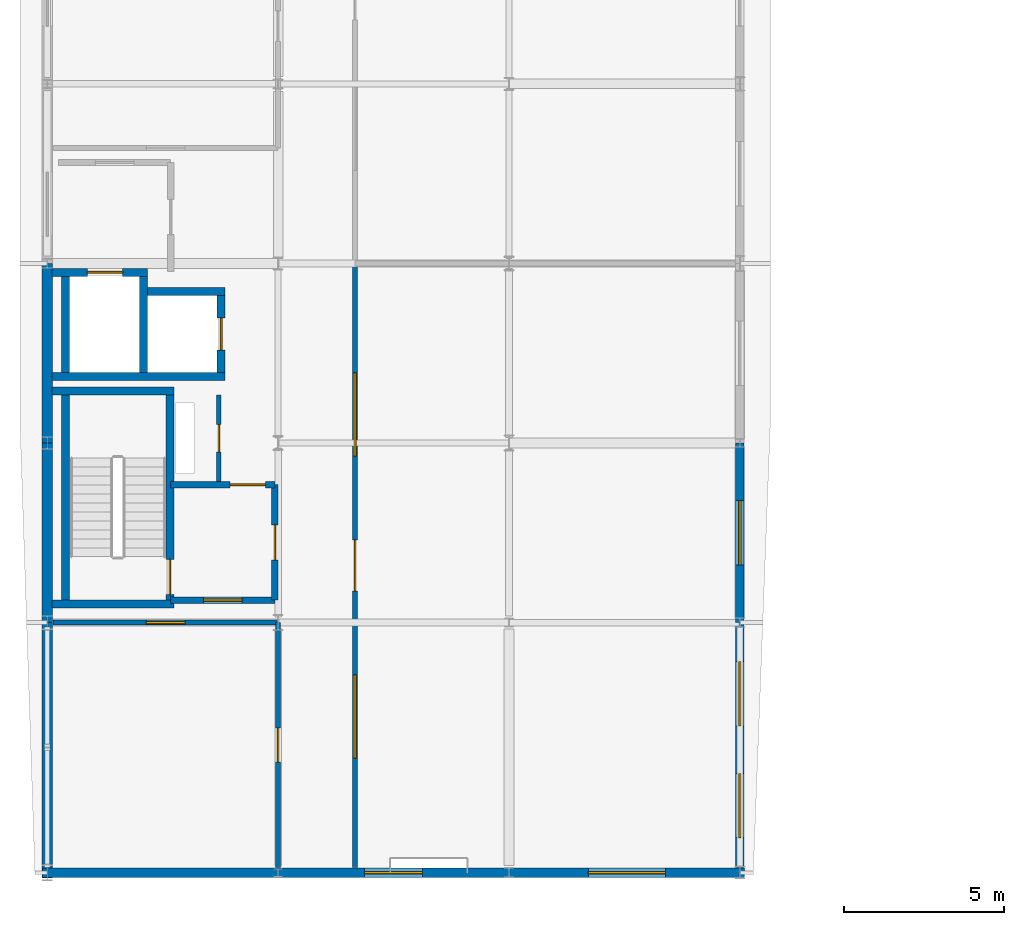
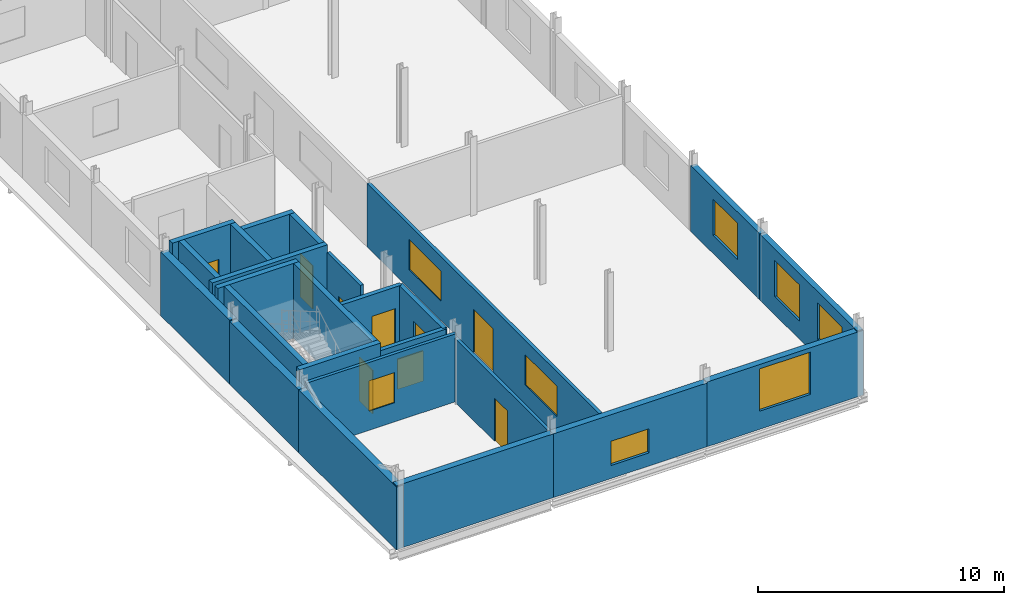
# One storey, part 11 of 17: 25 walls, 9 windows, 8 doors, 17 openings.
"""IFC4 building model written with IfcOpenShell, lengths in metres."""

from ifc_helpers import new_model, si_unit, direction, frame, frame_2d, origin, place, context, subcontext, project, spatial, rectangle, extrude, material, layer, layer_set, type_object, element, fill, save


model = new_model("IFC4")

# Units and contexts
model_context = context("Model", 3, precision=1e-05, world=origin(), true_north=direction((0.0, 1.0)))
body_context = subcontext(model_context, "Body", "Model", "MODEL_VIEW")
ifc_project = project(units=[si_unit("LENGTHUNIT", "METRE"), si_unit("AREAUNIT", "SQUARE_METRE"), si_unit("VOLUMEUNIT", "CUBIC_METRE"), si_unit("PLANEANGLEUNIT", "RADIAN"), si_unit("MASSUNIT", "GRAM", prefix="KILO")], contexts=[model_context])

# Site, building, storey
site_placement = place(None, origin())
site = spatial("IfcSite", under=ifc_project, at=site_placement, CompositionType="ELEMENT")
building_placement = place(site_placement, origin())
building = spatial("IfcBuilding", under=site, at=building_placement, Name="Vinh Khe Railworks Police Headquarters", CompositionType="ELEMENT")
storey_placement = place(building_placement, frame((0.0, 0.0, 24.89990234375)))
storey = spatial("IfcBuildingStorey", under=building, at=storey_placement, Name="L06", CompositionType="ELEMENT", Elevation=24.89990234375)

# Walls
ifc_material_1 = material(Name="Concrete C40/50 (B40)", Category="concrete")
ifc_layer_1 = layer(ifc_material_1, 0.25)
ifc_layer_set_1 = layer_set([ifc_layer_1], Name="Concrete C40/50 (B40)")
wall_type_1 = type_object("IfcWallType", Name="Core Shear Wall 250", PredefinedType="SHEAR", material=ifc_layer_set_1)
for number, where, z_axis, x_axis, name in (
    (1, (0.75, 25.77490234375, 0.0), (0.0, 0.0, 1.0), (1.0, 0.0, 0.0), "Core C1 STAIR-S Shear Wall (L06)"),
    (2, (0.75, 32.425048828125, 0.0), (0.0, 0.0, 1.0), (1.0, 0.0, 0.0), "Core C1 STAIR-N Shear Wall (L06)"),
):
    element("IfcWall", number, at=place(storey_placement, frame(where, z_axis=z_axis, x_axis=x_axis)), inside=storey, type_object=wall_type_1, Name=name, PredefinedType="SHEAR", context=body_context, shape_type="SweptSolid", body=[
        extrude(rectangle(XDim=3.800048828125, YDim=0.25, at=frame_2d((1.89990234375, 0.0))), origin(), (0.0, 0.0, 1.0), 3.72021484375),
    ])
wall_1_placement = place(storey_placement, frame((1.175048828125, 25.89990234375, 0.0), z_axis=(0.0, 0.0, 1.0), x_axis=(0.0, 1.0, 0.0)))
element("IfcWall", 3, at=wall_1_placement, inside=storey, type_object=wall_type_1, Name="Core C1 STAIR-W Shear Wall (L06)", PredefinedType="SHEAR", context=body_context, shape_type="SweptSolid", body=[
    extrude(rectangle(XDim=6.400146484375, YDim=0.25, at=frame_2d((3.2001953125, 0.0))), origin(), (0.0, 0.0, 1.0), 3.72021484375),
])

# Wall, opening, door
wall_2_placement = place(storey_placement, frame((4.425048828125, 25.89990234375, 0.0), z_axis=(0.0, 0.0, 1.0), x_axis=(0.0, 1.0, 0.0)))
wall_2 = element("IfcWall", 4, at=wall_2_placement, inside=storey, type_object=wall_type_1, Name="Core C1 STAIR-E Shear Wall (L06)", PredefinedType="SHEAR", context=body_context, shape_type="SweptSolid", body=[
    extrude(rectangle(XDim=6.400146484375, YDim=0.25, at=frame_2d((3.2001953125, 0.0))), origin(), (0.0, 0.0, 1.0), 3.72021484375),
])
opening_1_placement = place(wall_2_placement, frame((0.169921875, 0.0, 0.0)))
opening_1 = element("IfcOpeningElement", 5, at=opening_1_placement, cuts=wall_2, Name="Opening FD-01", PredefinedType="OPENING", context=body_context, shape_type="SweptSolid", body=[
    extrude(rectangle(XDim=1.10009765625, YDim=2.14990234375, at=frame_2d((0.550048828125, 1.074951171875))), frame((0.0, 0.139892578125, 0.0), z_axis=(0.0, -1.0, 0.0), x_axis=(1.0, 0.0, 0.0)), (0.0, 0.0, 1.0), 0.27978515625),
])
ifc_material_2 = material(Name="Painted galvanised steel", Category="steel")
door_type_1 = type_object("IfcDoorType", Name="FD-1100x2150", OperationType="NOTDEFINED", PredefinedType="DOOR", material=ifc_material_2)
door_1_placement = place(opening_1_placement, frame((1.10009765625, 0.0, 0.0), z_axis=(0.0, 0.0, 1.0), x_axis=(-1.0, 0.0, 0.0)))
door_1 = element("IfcDoor", 6, at=door_1_placement, inside=storey, type_object=door_type_1, Name="Escape Stair ST-01 Fire Door L06", OperationType="SINGLE_SWING_LEFT", OverallHeight=2.14990234375, OverallWidth=1.10009765625, PredefinedType="DOOR", context=body_context, shape_type="SweptSolid", body=[
    extrude(rectangle(XDim=1.10009765625, YDim=2.14990234375, at=frame_2d((0.550048828125, 1.074951171875))), frame((0.0, 0.02490234375, 0.0), z_axis=(0.0, -1.0, 0.0), x_axis=(1.0, 0.0, 0.0)), (0.0, 0.0, 1.0), 0.050048828125),
])
fill(opening_1, door_1)

# Wall
wall_3_placement = place(storey_placement, frame((0.75, 32.875, 0.0), z_axis=(0.0, 0.0, 1.0), x_axis=(1.0, 0.0, 0.0)))
element("IfcWall", 7, at=wall_3_placement, inside=storey, type_object=wall_type_1, Name="Core C1 FL-S Lift Shaft Wall (L06)", PredefinedType="SHEAR", context=body_context, shape_type="SweptSolid", body=[
    extrude(rectangle(XDim=5.39990234375, YDim=0.25, at=frame_2d((2.699951171875, 0.0))), origin(), (0.0, 0.0, 1.0), 3.72021484375),
])

# Wall, opening, door
wall_4_placement = place(storey_placement, frame((0.75, 36.125, 0.0), z_axis=(0.0, 0.0, 1.0), x_axis=(1.0, 0.0, 0.0)))
wall_4 = element("IfcWall", 8, at=wall_4_placement, inside=storey, type_object=wall_type_1, Name="Core C1 FL-N Lift Shaft Wall (L06)", PredefinedType="SHEAR", context=body_context, shape_type="SweptSolid", body=[
    extrude(rectangle(XDim=2.97509765625, YDim=0.25, at=frame_2d((1.487548828125, 0.0))), origin(), (0.0, 0.0, 1.0), 3.72021484375),
])
opening_2_placement = place(wall_4_placement, frame((1.10009765625, 0.0, 0.0)))
opening_2 = element("IfcOpeningElement", 9, at=opening_2_placement, cuts=wall_4, Name="Opening LD-01", PredefinedType="OPENING", context=body_context, shape_type="SweptSolid", body=[
    extrude(rectangle(XDim=1.10009765625, YDim=2.14990234375, at=frame_2d((0.550048828125, 1.074951171875))), frame((0.0, 0.139892578125, 0.0), z_axis=(0.0, -1.0, 0.0), x_axis=(1.0, 0.0, 0.0)), (0.0, 0.0, 1.0), 0.27978515625),
])
door_type_2 = type_object("IfcDoorType", Name="LD-FF-1100", OperationType="SLIDING_TO_LEFT", PredefinedType="DOOR", material=ifc_material_2)
door_2_placement = place(opening_2_placement, origin())
door_2 = element("IfcDoor", 10, at=door_2_placement, inside=storey, type_object=door_type_2, Name="Firefighting Lift Landing Door FL-01 L06", OperationType="SLIDING_TO_LEFT", OverallHeight=2.14990234375, OverallWidth=1.10009765625, PredefinedType="DOOR", context=body_context, shape_type="SweptSolid", body=[
    extrude(rectangle(XDim=1.10009765625, YDim=2.14990234375, at=frame_2d((0.550048828125, 1.074951171875))), frame((0.0, 0.02490234375, 0.0), z_axis=(0.0, -1.0, 0.0), x_axis=(1.0, 0.0, 0.0)), (0.0, 0.0, 1.0), 0.050048828125),
])
fill(opening_2, door_2)

# Walls
wall_5_placement = place(storey_placement, frame((3.72509765625, 35.52490234375, 0.0), z_axis=(0.0, 0.0, 1.0), x_axis=(1.0, 0.0, 0.0)))
element("IfcWall", 11, at=wall_5_placement, inside=storey, type_object=wall_type_1, Name="Core C1 PL-N Lift Shaft Wall (L06)", PredefinedType="SHEAR", context=body_context, shape_type="SweptSolid", body=[
    extrude(rectangle(XDim=2.4248046875, YDim=0.25, at=frame_2d((1.21240234375, 0.0))), origin(), (0.0, 0.0, 1.0), 3.72021484375),
])
for number, where, z_axis, x_axis, name in (
    (12, (1.175048828125, 33.0, 0.0), (0.0, 0.0, 1.0), (0.0, 1.0, 0.0), "Core C1 FL-W Lift Shaft Wall (L06)"),
    (13, (3.60009765625, 33.0, 0.0), (0.0, 0.0, 1.0), (0.0, 1.0, 0.0), "Core C1 LIFT-DIV Lift Shaft Wall (L06)"),
):
    element("IfcWall", number, at=place(storey_placement, frame(where, z_axis=z_axis, x_axis=x_axis)), inside=storey, type_object=wall_type_1, Name=name, PredefinedType="SHEAR", context=body_context, shape_type="SweptSolid", body=[
        extrude(rectangle(XDim=3.0, YDim=0.25, at=frame_2d((1.5, 0.0))), origin(), (0.0, 0.0, 1.0), 3.72021484375),
    ])

# Wall, opening, door
wall_6_placement = place(storey_placement, frame((6.02490234375, 33.0, 0.0), z_axis=(0.0, 0.0, 1.0), x_axis=(0.0, 1.0, 0.0)))
wall_6 = element("IfcWall", 14, at=wall_6_placement, inside=storey, type_object=wall_type_1, Name="Core C1 PL-E Lift Shaft Wall (L06)", PredefinedType="SHEAR", context=body_context, shape_type="SweptSolid", body=[
    extrude(rectangle(XDim=2.39990234375, YDim=0.25, at=frame_2d((1.199951171875, 0.0))), origin(), (0.0, 0.0, 1.0), 3.72021484375),
])
opening_3_placement = place(wall_6_placement, frame((0.699951171875, 0.0, 0.0)))
opening_3 = element("IfcOpeningElement", 15, at=opening_3_placement, cuts=wall_6, Name="Opening LD-02", PredefinedType="OPENING", context=body_context, shape_type="SweptSolid", body=[
    extrude(rectangle(XDim=1.0, YDim=2.14990234375, at=frame_2d((0.5, 1.074951171875))), frame((0.0, 0.139892578125, 0.0), z_axis=(0.0, -1.0, 0.0), x_axis=(1.0, 0.0, 0.0)), (0.0, 0.0, 1.0), 0.27978515625),
])
door_type_3 = type_object("IfcDoorType", Name="LD-PAX-1000", OperationType="SLIDING_TO_RIGHT", PredefinedType="DOOR", material=ifc_material_2)
door_3_placement = place(opening_3_placement, frame((1.0, 0.0, 0.0), z_axis=(0.0, 0.0, 1.0), x_axis=(-1.0, 0.0, 0.0)))
door_3 = element("IfcDoor", 16, at=door_3_placement, inside=storey, type_object=door_type_3, Name="Passenger Lift Landing Door PL-01 L06", OperationType="SLIDING_TO_RIGHT", OverallHeight=2.14990234375, OverallWidth=1.0, PredefinedType="DOOR", context=body_context, shape_type="SweptSolid", body=[
    extrude(rectangle(XDim=1.0, YDim=2.14990234375, at=frame_2d((0.5, 1.074951171875))), frame((0.0, 0.02490234375, 0.0), z_axis=(0.0, -1.0, 0.0), x_axis=(1.0, 0.0, 0.0)), (0.0, 0.0, 1.0), 0.050048828125),
])
fill(opening_3, door_3)

# Wall, openings, windows
ifc_material_3 = material(Name="Clay brickwork", Category="masonry")
ifc_layer_2 = layer(ifc_material_3, 0.260009765625)
ifc_layer_set_2 = layer_set([ifc_layer_2], Name="Clay brickwork")
wall_type_2 = type_object("IfcWallType", Name="EW-BRK-260", PredefinedType="SOLIDWALL", material=ifc_layer_set_2)
wall_7_placement = place(storey_placement, frame((22.199951171875, 17.27001953125, 0.0), z_axis=(0.0, 0.0, 1.0), x_axis=(0.0, 1.0, 0.0)))
wall_7 = element("IfcWall", 17, at=wall_7_placement, inside=storey, type_object=wall_type_2, Name="Exterior Brick Wall EW-L06-V5E-01", PredefinedType="SOLIDWALL", context=body_context, shape_type="SweptSolid", body=[
    extrude(rectangle(XDim=7.929931640625, YDim=0.260009765625, at=frame_2d((3.96484375, 0.0))), origin(), (0.0, 0.0, 1.0), 3.26513671875),
])
opening_4_placement = place(wall_7_placement, frame((1.220458984375, 0.0, 0.89990234375)))
opening_4 = element("IfcOpeningElement", 18, at=opening_4_placement, cuts=wall_7, Name="Opening WN-04", PredefinedType="OPENING", context=body_context, shape_type="SweptSolid", body=[
    extrude(rectangle(XDim=2.0, YDim=1.800048828125, at=frame_2d((1.0, 0.89990234375))), frame((0.0, 0.14501953125, 0.0), z_axis=(0.0, -1.0, 0.0), x_axis=(1.0, 0.0, 0.0)), (0.0, 0.0, 1.0), 0.289794921875),
])
opening_5_placement = place(wall_7_placement, frame((4.709716796875, 0.0, 0.89990234375)))
opening_5 = element("IfcOpeningElement", 19, at=opening_5_placement, cuts=wall_7, Name="Opening WN-04", PredefinedType="OPENING", context=body_context, shape_type="SweptSolid", body=[
    extrude(rectangle(XDim=2.0, YDim=1.800048828125, at=frame_2d((1.0, 0.89990234375))), frame((0.0, 0.14501953125, 0.0), z_axis=(0.0, -1.0, 0.0), x_axis=(1.0, 0.0, 0.0)), (0.0, 0.0, 1.0), 0.289794921875),
])
ifc_material_4 = material(Name="Double-glazed solar-control glass in dark steel frame", Category="steel")
window_type_1 = type_object("IfcWindowType", Name="WIN-WN-04", PartitioningType="DOUBLE_PANEL_VERTICAL", PredefinedType="WINDOW", material=ifc_material_4)
window_1_placement = place(opening_4_placement, origin())
window_1 = element("IfcWindow", 20, at=window_1_placement, inside=storey, type_object=window_type_1, Name="Casement Window WN-04", OverallHeight=1.800048828125, OverallWidth=2.0, PartitioningType="SINGLE_PANEL", PredefinedType="WINDOW", context=body_context, shape_type="SweptSolid", body=[
    extrude(rectangle(XDim=2.0, YDim=1.800048828125, at=frame_2d((1.0, 0.89990234375))), frame((0.0, 0.030029296875, 0.0), z_axis=(0.0, -1.0, 0.0), x_axis=(1.0, 0.0, 0.0)), (0.0, 0.0, 1.0), 0.06005859375),
])
fill(opening_4, window_1)
window_2_placement = place(opening_5_placement, origin())
window_2 = element("IfcWindow", 21, at=window_2_placement, inside=storey, type_object=window_type_1, Name="Casement Window WN-04", OverallHeight=1.800048828125, OverallWidth=2.0, PartitioningType="SINGLE_PANEL", PredefinedType="WINDOW", context=body_context, shape_type="SweptSolid", body=[
    extrude(rectangle(XDim=2.0, YDim=1.800048828125, at=frame_2d((1.0, 0.89990234375))), frame((0.0, 0.030029296875, 0.0), z_axis=(0.0, -1.0, 0.0), x_axis=(1.0, 0.0, 0.0)), (0.0, 0.0, 1.0), 0.06005859375),
])
fill(opening_5, window_2)

# Wall, opening, window
wall_8_placement = place(storey_placement, frame((22.199951171875, 25.199951171875, 0.0), z_axis=(0.0, 0.0, 1.0), x_axis=(0.0, 1.0, 0.0)))
wall_8 = element("IfcWall", 22, at=wall_8_placement, inside=storey, type_object=wall_type_2, Name="Exterior Brick Wall EW-L06-V5E-02", PredefinedType="SOLIDWALL", context=body_context, shape_type="SweptSolid", body=[
    extrude(rectangle(XDim=5.60009765625, YDim=0.260009765625, at=frame_2d((2.800048828125, 0.0))), origin(), (0.0, 0.0, 1.0), 3.26513671875),
])
opening_6_placement = place(wall_8_placement, frame((1.800048828125, 0.0, 0.89990234375)))
opening_6 = element("IfcOpeningElement", 23, at=opening_6_placement, cuts=wall_8, Name="Opening WN-04", PredefinedType="OPENING", context=body_context, shape_type="SweptSolid", body=[
    extrude(rectangle(XDim=2.0, YDim=1.800048828125, at=frame_2d((1.0, 0.89990234375))), frame((0.0, 0.14501953125, 0.0), z_axis=(0.0, -1.0, 0.0), x_axis=(1.0, 0.0, 0.0)), (0.0, 0.0, 1.0), 0.289794921875),
])
window_3_placement = place(opening_6_placement, origin())
window_3 = element("IfcWindow", 24, at=window_3_placement, inside=storey, type_object=window_type_1, Name="Casement Window WN-04", OverallHeight=1.800048828125, OverallWidth=2.0, PartitioningType="SINGLE_PANEL", PredefinedType="WINDOW", context=body_context, shape_type="SweptSolid", body=[
    extrude(rectangle(XDim=2.0, YDim=1.800048828125, at=frame_2d((1.0, 0.89990234375))), frame((0.0, 0.030029296875, 0.0), z_axis=(0.0, -1.0, 0.0), x_axis=(1.0, 0.0, 0.0)), (0.0, 0.0, 1.0), 0.06005859375),
])
fill(opening_6, window_3)

# Wall
ifc_layer_3 = layer(ifc_material_3, 0.300048828125)
ifc_layer_set_3 = layer_set([ifc_layer_3], Name="Clay brickwork")
wall_type_3 = type_object("IfcWallType", Name="EW-BRK-300", PredefinedType="SOLIDWALL", material=ifc_layer_set_3)
wall_9_placement = place(storey_placement, frame((0.449951171875, 17.39990234375, 0.0), z_axis=(0.0, 0.0, 1.0), x_axis=(1.0, 0.0, 0.0)))
element("IfcWall", 25, at=wall_9_placement, inside=storey, type_object=wall_type_3, Name="Exterior Brick Wall EW-L06-V5S-01", PredefinedType="SOLIDWALL", context=body_context, shape_type="SweptSolid", body=[
    extrude(rectangle(XDim=7.35009765625, YDim=0.300048828125, at=frame_2d((3.675048828125, 0.0))), origin(), (0.0, 0.0, 1.0), 3.1650390625),
])

# Wall, opening, window
wall_10_placement = place(storey_placement, frame((7.800048828125, 17.39990234375, 0.0), z_axis=(0.0, 0.0, 1.0), x_axis=(1.0, 0.0, 0.0)))
wall_10 = element("IfcWall", 26, at=wall_10_placement, inside=storey, type_object=wall_type_3, Name="Exterior Brick Wall EW-L06-V5S-02", PredefinedType="SOLIDWALL", context=body_context, shape_type="SweptSolid", body=[
    extrude(rectangle(XDim=7.199951171875, YDim=0.300048828125, at=frame_2d((3.60009765625, 0.0))), origin(), (0.0, 0.0, 1.0), 3.1650390625),
])
opening_7_placement = place(wall_10_placement, frame((2.699951171875, 0.0, 0.64990234375)))
opening_7 = element("IfcOpeningElement", 27, at=opening_7_placement, cuts=wall_10, Name="Opening WN-08", PredefinedType="OPENING", context=body_context, shape_type="SweptSolid", body=[
    extrude(rectangle(XDim=1.800048828125, YDim=1.199951171875, at=frame_2d((0.89990234375, 0.60009765625))), frame((0.0, 0.1650390625, 0.0), z_axis=(0.0, -1.0, 0.0), x_axis=(1.0, 0.0, 0.0)), (0.0, 0.0, 1.0), 0.329833984375),
])
window_type_2 = type_object("IfcWindowType", Name="WIN-WN-08", PartitioningType="SINGLE_PANEL", PredefinedType="WINDOW", material=ifc_material_4)
window_4_placement = place(opening_7_placement, origin())
window_4 = element("IfcWindow", 28, at=window_4_placement, inside=storey, type_object=window_type_2, Name="Casement Window WN-08", OverallHeight=1.199951171875, OverallWidth=1.800048828125, PartitioningType="SINGLE_PANEL", PredefinedType="WINDOW", context=body_context, shape_type="SweptSolid", body=[
    extrude(rectangle(XDim=1.800048828125, YDim=1.199951171875, at=frame_2d((0.89990234375, 0.60009765625))), frame((0.0, 0.030029296875, 0.0), z_axis=(0.0, -1.0, 0.0), x_axis=(1.0, 0.0, 0.0)), (0.0, 0.0, 1.0), 0.06005859375),
])
fill(opening_7, window_4)

wall_11_placement = place(storey_placement, frame((15.0, 17.39990234375, 0.0), z_axis=(0.0, 0.0, 1.0), x_axis=(1.0, 0.0, 0.0)))
wall_11 = element("IfcWall", 29, at=wall_11_placement, inside=storey, type_object=wall_type_3, Name="Exterior Brick Wall EW-L06-V5S-03", PredefinedType="SOLIDWALL", context=body_context, shape_type="SweptSolid", body=[
    extrude(rectangle(XDim=7.35009765625, YDim=0.300048828125, at=frame_2d((3.675048828125, 0.0))), origin(), (0.0, 0.0, 1.0), 3.215087890625),
])
opening_8_placement = place(wall_11_placement, frame((2.47509765625, 0.0, 0.89990234375)))
opening_8 = element("IfcOpeningElement", 30, at=opening_8_placement, cuts=wall_11, Name="Opening WN-02", PredefinedType="OPENING", context=body_context, shape_type="SweptSolid", body=[
    extrude(rectangle(XDim=2.39990234375, YDim=2.10009765625, at=frame_2d((1.199951171875, 1.050048828125))), frame((0.0, 0.1650390625, 0.0), z_axis=(0.0, -1.0, 0.0), x_axis=(1.0, 0.0, 0.0)), (0.0, 0.0, 1.0), 0.329833984375),
])
window_type_3 = type_object("IfcWindowType", Name="WIN-WN-02", PartitioningType="DOUBLE_PANEL_VERTICAL", PredefinedType="WINDOW", material=ifc_material_4)
window_5_placement = place(opening_8_placement, origin())
window_5 = element("IfcWindow", 31, at=window_5_placement, inside=storey, type_object=window_type_3, Name="Casement Window WN-02", OverallHeight=2.10009765625, OverallWidth=2.39990234375, PartitioningType="SINGLE_PANEL", PredefinedType="WINDOW", context=body_context, shape_type="SweptSolid", body=[
    extrude(rectangle(XDim=2.39990234375, YDim=2.10009765625, at=frame_2d((1.199951171875, 1.050048828125))), frame((0.0, 0.030029296875, 0.0), z_axis=(0.0, -1.0, 0.0), x_axis=(1.0, 0.0, 0.0)), (0.0, 0.0, 1.0), 0.06005859375),
])
fill(opening_8, window_5)

# Walls
ifc_layer_4 = layer(ifc_material_3, 0.340087890625)
ifc_layer_set_4 = layer_set([ifc_layer_4], Name="Clay brickwork")
wall_type_4 = type_object("IfcWallType", Name="EW-BRK-340", PredefinedType="SOLIDWALL", material=ifc_layer_set_4)
wall_12_placement = place(storey_placement, frame((0.60009765625, 17.22998046875, 0.0), z_axis=(0.0, 0.0, 1.0), x_axis=(0.0, 1.0, 0.0)))
element("IfcWall", 32, at=wall_12_placement, inside=storey, type_object=wall_type_4, Name="Exterior Brick Wall EW-L06-V5W-01", PredefinedType="SOLIDWALL", context=body_context, shape_type="SweptSolid", body=[
    extrude(rectangle(XDim=7.969970703125, YDim=0.340087890625, at=frame_2d((3.98486328125, 0.0))), origin(), (0.0, 0.0, 1.0), 3.114990234375),
])
wall_13_placement = place(storey_placement, frame((0.60009765625, 25.199951171875, 0.0), z_axis=(0.0, 0.0, 1.0), x_axis=(0.0, 1.0, 0.0)))
element("IfcWall", 33, at=wall_13_placement, inside=storey, type_object=wall_type_4, Name="Exterior Brick Wall EW-L06-V5W-02", PredefinedType="SOLIDWALL", context=body_context, shape_type="SweptSolid", body=[
    extrude(rectangle(XDim=5.60009765625, YDim=0.340087890625, at=frame_2d((2.800048828125, 0.0))), origin(), (0.0, 0.0, 1.0), 3.114990234375),
])
wall_14_placement = place(storey_placement, frame((0.60009765625, 30.800048828125, 0.0), z_axis=(0.0, 0.0, 1.0), x_axis=(0.0, 1.0, 0.0)))
element("IfcWall", 34, at=wall_14_placement, inside=storey, type_object=wall_type_4, Name="Exterior Brick Wall EW-L06-V5W-03", PredefinedType="SOLIDWALL", context=body_context, shape_type="SweptSolid", body=[
    extrude(rectangle(XDim=5.599853515625, YDim=0.340087890625, at=frame_2d((2.7998046875, 0.0))), origin(), (0.0, 0.0, 1.0), 3.1650390625),
])

# Wall, opening, window
ifc_material_5 = material(Name="Autoclaved aerated concrete blockwork", Category="masonry")
ifc_layer_5 = layer(ifc_material_5, 0.199951171875)
ifc_layer_set_5 = layer_set([ifc_layer_5], Name="Autoclaved aerated concrete blockwork")
wall_type_5 = type_object("IfcWallType", Name="IW-BLK-200", PredefinedType="PARTITIONING", material=ifc_layer_set_5)
wall_15_placement = place(storey_placement, frame((4.449951171875, 25.89990234375, 0.0), z_axis=(0.0, 0.0, 1.0), x_axis=(1.0, 0.0, 0.0)))
wall_15 = element("IfcWall", 35, at=wall_15_placement, inside=storey, type_object=wall_type_5, Name="Interior Partition W-STL-C1-S-L06", PredefinedType="PARTITIONING", context=body_context, shape_type="SweptSolid", body=[
    extrude(rectangle(XDim=3.25, YDim=0.199951171875, at=frame_2d((1.625, 0.0))), origin(), (0.0, 0.0, 1.0), 3.215087890625),
])
opening_9_placement = place(wall_15_placement, frame((1.02490234375, 0.0, 0.949951171875)))
opening_9 = element("IfcOpeningElement", 36, at=opening_9_placement, cuts=wall_15, Name="Opening WN-10", PredefinedType="OPENING", context=body_context, shape_type="SweptSolid", body=[
    extrude(rectangle(XDim=1.199951171875, YDim=1.5, at=frame_2d((0.60009765625, 0.75))), frame((0.0, 0.11474609375, 0.0), z_axis=(0.0, -1.0, 0.0), x_axis=(1.0, 0.0, 0.0)), (0.0, 0.0, 1.0), 0.229736328125),
])
window_type_4 = type_object("IfcWindowType", Name="WIN-WN-10", PartitioningType="SINGLE_PANEL", PredefinedType="WINDOW", material=ifc_material_4)
window_6_placement = place(opening_9_placement, origin())
window_6 = element("IfcWindow", 37, at=window_6_placement, inside=storey, type_object=window_type_4, Name="Interior Acoustic Vision Window WN-10", OverallHeight=1.5, OverallWidth=1.199951171875, PartitioningType="SINGLE_PANEL", PredefinedType="WINDOW", context=body_context, shape_type="SweptSolid", body=[
    extrude(rectangle(XDim=1.199951171875, YDim=1.5, at=frame_2d((0.60009765625, 0.75))), frame((0.0, 0.030029296875, 0.0), z_axis=(0.0, -1.0, 0.0), x_axis=(1.0, 0.0, 0.0)), (0.0, 0.0, 1.0), 0.06005859375),
])
fill(opening_9, window_6)

# Wall, opening, door
wall_16_placement = place(storey_placement, frame((4.449951171875, 29.5, 0.0), z_axis=(0.0, 0.0, 1.0), x_axis=(1.0, 0.0, 0.0)))
wall_16 = element("IfcWall", 38, at=wall_16_placement, inside=storey, type_object=wall_type_5, Name="Interior Partition W-STL-C1-N-L06", PredefinedType="PARTITIONING", context=body_context, shape_type="SweptSolid", body=[
    extrude(rectangle(XDim=3.25, YDim=0.199951171875, at=frame_2d((1.625, 0.0))), origin(), (0.0, 0.0, 1.0), 3.215087890625),
])
opening_10_placement = place(wall_16_placement, frame((1.85009765625, 0.0, 0.0)))
opening_10 = element("IfcOpeningElement", 39, at=opening_10_placement, cuts=wall_16, Name="Opening FD-01", PredefinedType="OPENING", context=body_context, shape_type="SweptSolid", body=[
    extrude(rectangle(XDim=1.10009765625, YDim=2.14990234375, at=frame_2d((0.550048828125, 1.074951171875))), frame((0.0, 0.11474609375, 0.0), z_axis=(0.0, -1.0, 0.0), x_axis=(1.0, 0.0, 0.0)), (0.0, 0.0, 1.0), 0.229736328125),
])
door_4_placement = place(opening_10_placement, origin())
door_4 = element("IfcDoor", 40, at=door_4_placement, inside=storey, type_object=door_type_1, Name="Lift Lobby Stair Fire Door", OperationType="SINGLE_SWING_LEFT", OverallHeight=2.14990234375, OverallWidth=1.10009765625, PredefinedType="DOOR", context=body_context, shape_type="SweptSolid", body=[
    extrude(rectangle(XDim=1.10009765625, YDim=2.14990234375, at=frame_2d((0.550048828125, 1.074951171875))), frame((0.0, 0.02490234375, 0.0), z_axis=(0.0, -1.0, 0.0), x_axis=(1.0, 0.0, 0.0)), (0.0, 0.0, 1.0), 0.050048828125),
])
fill(opening_10, door_4)

wall_17_placement = place(storey_placement, frame((7.699951171875, 25.89990234375, 0.0), z_axis=(0.0, 0.0, 1.0), x_axis=(0.0, 1.0, 0.0)))
wall_17 = element("IfcWall", 41, at=wall_17_placement, inside=storey, type_object=wall_type_5, Name="Interior Partition W-STL-C1-E-L06", PredefinedType="PARTITIONING", context=body_context, shape_type="SweptSolid", body=[
    extrude(rectangle(XDim=3.60009765625, YDim=0.199951171875, at=frame_2d((1.800048828125, 0.0))), origin(), (0.0, 0.0, 1.0), 3.215087890625),
])
opening_11_placement = place(wall_17_placement, frame((1.25, 0.0, 0.0)))
opening_11 = element("IfcOpeningElement", 42, at=opening_11_placement, cuts=wall_17, Name="Opening FD-01", PredefinedType="OPENING", context=body_context, shape_type="SweptSolid", body=[
    extrude(rectangle(XDim=1.10009765625, YDim=2.14990234375, at=frame_2d((0.550048828125, 1.074951171875))), frame((0.0, 0.11474609375, 0.0), z_axis=(0.0, -1.0, 0.0), x_axis=(1.0, 0.0, 0.0)), (0.0, 0.0, 1.0), 0.229736328125),
])
door_5_placement = place(opening_11_placement, origin())
door_5 = element("IfcDoor", 43, at=door_5_placement, inside=storey, type_object=door_type_1, Name="Stair Vestibule Fire Door", OperationType="SINGLE_SWING_RIGHT", OverallHeight=2.14990234375, OverallWidth=1.10009765625, PredefinedType="DOOR", context=body_context, shape_type="SweptSolid", body=[
    extrude(rectangle(XDim=1.10009765625, YDim=2.14990234375, at=frame_2d((0.550048828125, 1.074951171875))), frame((0.0, 0.02490234375, 0.0), z_axis=(0.0, -1.0, 0.0), x_axis=(1.0, 0.0, 0.0)), (0.0, 0.0, 1.0), 0.050048828125),
])
fill(opening_11, door_5)

# Wall, opening, window
ifc_material_6 = material(Name="Gypsum plasterboard on steel stud", Category="steel")
ifc_layer_6 = layer(ifc_material_6, 0.1201171875)
ifc_layer_set_6 = layer_set([ifc_layer_6], Name="Gypsum plasterboard on steel stud")
wall_type_6 = type_object("IfcWallType", Name="IW-PART-120", PredefinedType="PARTITIONING", material=ifc_layer_set_6)
wall_18_placement = place(storey_placement, frame((0.780029296875, 25.199951171875, 0.0), z_axis=(0.0, 0.0, 1.0), x_axis=(1.0, 0.0, 0.0)))
wall_18 = element("IfcWall", 44, at=wall_18_placement, inside=storey, type_object=wall_type_6, Name="Interior Partition W-L06-V5-SURV-ENDN", PredefinedType="PARTITIONING", context=body_context, shape_type="SweptSolid", body=[
    extrude(rectangle(XDim=7.02001953125, YDim=0.14990234375, at=frame_2d((3.510009765625, 0.0))), origin(), (0.0, 0.0, 1.0), 3.364990234375),
])
opening_12_placement = place(wall_18_placement, frame((2.909912109375, 0.0, 0.949951171875)))
opening_12 = element("IfcOpeningElement", 45, at=opening_12_placement, cuts=wall_18, Name="Opening WN-10", PredefinedType="OPENING", context=body_context, shape_type="SweptSolid", body=[
    extrude(rectangle(XDim=1.199951171875, YDim=1.5, at=frame_2d((0.60009765625, 0.75))), frame((0.0, 0.08984375, 0.0), z_axis=(0.0, -1.0, 0.0), x_axis=(1.0, 0.0, 0.0)), (0.0, 0.0, 1.0), 0.1796875),
])
window_7_placement = place(opening_12_placement, origin())
window_7 = element("IfcWindow", 46, at=window_7_placement, inside=storey, type_object=window_type_4, Name="Interior Acoustic Vision Window WN-10", OverallHeight=1.5, OverallWidth=1.199951171875, PartitioningType="SINGLE_PANEL", PredefinedType="WINDOW", context=body_context, shape_type="SweptSolid", body=[
    extrude(rectangle(XDim=1.199951171875, YDim=1.5, at=frame_2d((0.60009765625, 0.75))), frame((0.0, 0.030029296875, 0.0), z_axis=(0.0, -1.0, 0.0), x_axis=(1.0, 0.0, 0.0)), (0.0, 0.0, 1.0), 0.06005859375),
])
fill(opening_12, window_7)

# Wall, opening, door
ifc_material_7 = material(Name="Gypsum plasterboard on acoustic steel stud", Category="steel")
ifc_layer_7 = layer(ifc_material_7, 0.14990234375)
ifc_layer_set_7 = layer_set([ifc_layer_7], Name="Gypsum plasterboard on acoustic steel stud")
wall_type_7 = type_object("IfcWallType", Name="IW-PART-150", PredefinedType="PARTITIONING", material=ifc_layer_set_7)
wall_19_placement = place(storey_placement, frame((5.949951171875, 29.60009765625, 0.0), z_axis=(0.0, 0.0, 1.0), x_axis=(0.0, 1.0, 0.0)))
wall_19 = element("IfcWall", 47, at=wall_19_placement, inside=storey, type_object=wall_type_7, Name="Interior Partition W-RSR-C1-E-L06", PredefinedType="PARTITIONING", context=body_context, shape_type="SweptSolid", body=[
    extrude(rectangle(XDim=2.699951171875, YDim=0.14990234375, at=frame_2d((1.35009765625, 0.0))), origin(), (0.0, 0.0, 1.0), 3.715087890625),
])
opening_13_placement = place(wall_19_placement, frame((0.925048828125, 0.0, 0.0)))
opening_13 = element("IfcOpeningElement", 48, at=opening_13_placement, cuts=wall_19, Name="Opening FD-04", PredefinedType="OPENING", context=body_context, shape_type="SweptSolid", body=[
    extrude(rectangle(XDim=0.85009765625, YDim=2.10009765625, at=frame_2d((0.425048828125, 1.050048828125))), frame((0.0, 0.08984375, 0.0), z_axis=(0.0, -1.0, 0.0), x_axis=(1.0, 0.0, 0.0)), (0.0, 0.0, 1.0), 0.1796875),
])
door_type_4 = type_object("IfcDoorType", Name="FD-850x2100", OperationType="NOTDEFINED", PredefinedType="DOOR", material=ifc_material_2)
door_6_placement = place(opening_13_placement, origin())
door_6 = element("IfcDoor", 49, at=door_6_placement, inside=storey, type_object=door_type_4, Name="Electrical Riser Access Door", OperationType="SINGLE_SWING_LEFT", OverallHeight=2.10009765625, OverallWidth=0.85009765625, PredefinedType="DOOR", context=body_context, shape_type="SweptSolid", body=[
    extrude(rectangle(XDim=0.85009765625, YDim=2.10009765625, at=frame_2d((0.425048828125, 1.050048828125))), frame((0.0, 0.02490234375, 0.0), z_axis=(0.0, -1.0, 0.0), x_axis=(1.0, 0.0, 0.0)), (0.0, 0.0, 1.0), 0.050048828125),
])
fill(opening_13, door_6)

wall_20_placement = place(storey_placement, frame((7.800048828125, 17.56005859375, 0.0), z_axis=(0.0, 0.0, 1.0), x_axis=(0.0, 1.0, 0.0)))
wall_20 = element("IfcWall", 50, at=wall_20_placement, inside=storey, type_object=wall_type_7, Name="Interior Partition W-L06-V5-SURV-CW", PredefinedType="PARTITIONING", context=body_context, shape_type="SweptSolid", body=[
    extrude(rectangle(XDim=7.639892578125, YDim=0.14990234375, at=frame_2d((3.81982421875, 0.0))), origin(), (0.0, 0.0, 1.0), 3.1650390625),
])
opening_14_placement = place(wall_20_placement, frame((3.294921875, 0.0, 0.0)))
opening_14 = element("IfcOpeningElement", 51, at=opening_14_placement, cuts=wall_20, Name="Opening D-02", PredefinedType="OPENING", context=body_context, shape_type="SweptSolid", body=[
    extrude(rectangle(XDim=1.050048828125, YDim=2.14990234375, at=frame_2d((0.52490234375, 1.074951171875))), frame((0.0, 0.08984375, 0.0), z_axis=(0.0, -1.0, 0.0), x_axis=(1.0, 0.0, 0.0)), (0.0, 0.0, 1.0), 0.1796875),
])
ifc_material_8 = material(Name="Seasoned hardwood timber", Category="wood")
door_type_5 = type_object("IfcDoorType", Name="ID-1050x2150", OperationType="NOTDEFINED", PredefinedType="DOOR", material=ifc_material_8)
door_7_placement = place(opening_14_placement, origin())
door_7 = element("IfcDoor", 52, at=door_7_placement, inside=storey, type_object=door_type_5, Name="Surveillance Technical Workshop Door", OperationType="SINGLE_SWING_LEFT", OverallHeight=2.14990234375, OverallWidth=1.050048828125, PredefinedType="DOOR", context=body_context, shape_type="SweptSolid", body=[
    extrude(rectangle(XDim=1.050048828125, YDim=2.14990234375, at=frame_2d((0.52490234375, 1.074951171875))), frame((0.0, 0.02490234375, 0.0), z_axis=(0.0, -1.0, 0.0), x_axis=(1.0, 0.0, 0.0)), (0.0, 0.0, 1.0), 0.050048828125),
])
fill(opening_14, door_7)

# Wall, openings, door, windows
wall_21_placement = place(storey_placement, frame((10.199951171875, 17.56005859375, 0.0), z_axis=(0.0, 0.0, 1.0), x_axis=(0.0, 1.0, 0.0)))
wall_21 = element("IfcWall", 53, at=wall_21_placement, inside=storey, type_object=wall_type_7, Name="Interior Partition W-L06-V5-NARC1-CE", PredefinedType="PARTITIONING", context=body_context, shape_type="SweptSolid", body=[
    extrude(rectangle(XDim=18.83984375, YDim=0.14990234375, at=frame_2d((9.419921875, 0.0))), origin(), (0.0, 0.0, 1.0), 3.1650390625),
])
opening_15_placement = place(wall_21_placement, frame((8.6201171875, 0.0, 0.0)))
opening_15 = element("IfcOpeningElement", 54, at=opening_15_placement, cuts=wall_21, Name="Opening D-03", PredefinedType="OPENING", context=body_context, shape_type="SweptSolid", body=[
    extrude(rectangle(XDim=1.60009765625, YDim=2.14990234375, at=frame_2d((0.800048828125, 1.074951171875))), frame((0.0, 0.08984375, 0.0), z_axis=(0.0, -1.0, 0.0), x_axis=(1.0, 0.0, 0.0)), (0.0, 0.0, 1.0), 0.1796875),
])
opening_16_placement = place(wall_21_placement, frame((3.409912109375, 0.0, 0.949951171875)))
opening_16 = element("IfcOpeningElement", 55, at=opening_16_placement, cuts=wall_21, Name="Opening WN-07", PredefinedType="OPENING", context=body_context, shape_type="SweptSolid", body=[
    extrude(rectangle(XDim=2.60009765625, YDim=1.5, at=frame_2d((1.300048828125, 0.75))), frame((0.0, 0.08984375, 0.0), z_axis=(0.0, -1.0, 0.0), x_axis=(1.0, 0.0, 0.0)), (0.0, 0.0, 1.0), 0.1796875),
])
opening_17_placement = place(wall_21_placement, frame((12.830078125, 0.0, 0.949951171875)))
opening_17 = element("IfcOpeningElement", 56, at=opening_17_placement, cuts=wall_21, Name="Opening WN-07", PredefinedType="OPENING", context=body_context, shape_type="SweptSolid", body=[
    extrude(rectangle(XDim=2.60009765625, YDim=1.5, at=frame_2d((1.300048828125, 0.75))), frame((0.0, 0.08984375, 0.0), z_axis=(0.0, -1.0, 0.0), x_axis=(1.0, 0.0, 0.0)), (0.0, 0.0, 1.0), 0.1796875),
])
door_type_6 = type_object("IfcDoorType", Name="ID-1600x2150", OperationType="DOUBLE_DOOR_SINGLE_SWING", PredefinedType="DOOR", material=ifc_material_2)
door_8_placement = place(opening_15_placement, origin())
door_8 = element("IfcDoor", 57, at=door_8_placement, inside=storey, type_object=door_type_6, Name="Counter-Narcotics Investigation Suite A Door", OperationType="DOUBLE_DOOR_SINGLE_SWING", OverallHeight=2.14990234375, OverallWidth=1.60009765625, PredefinedType="DOOR", context=body_context, shape_type="SweptSolid", body=[
    extrude(rectangle(XDim=1.60009765625, YDim=2.14990234375, at=frame_2d((0.800048828125, 1.074951171875))), frame((0.0, 0.02490234375, 0.0), z_axis=(0.0, -1.0, 0.0), x_axis=(1.0, 0.0, 0.0)), (0.0, 0.0, 1.0), 0.050048828125),
])
fill(opening_15, door_8)
window_type_5 = type_object("IfcWindowType", Name="WIN-WN-07", PartitioningType="DOUBLE_PANEL_HORIZONTAL", PredefinedType="WINDOW", material=ifc_material_4)
window_8_placement = place(opening_16_placement, origin())
window_8 = element("IfcWindow", 58, at=window_8_placement, inside=storey, type_object=window_type_5, Name="Interior Acoustic Vision Window WN-07", OverallHeight=1.5, OverallWidth=2.60009765625, PartitioningType="SINGLE_PANEL", PredefinedType="WINDOW", context=body_context, shape_type="SweptSolid", body=[
    extrude(rectangle(XDim=2.60009765625, YDim=1.5, at=frame_2d((1.300048828125, 0.75))), frame((0.0, 0.030029296875, 0.0), z_axis=(0.0, -1.0, 0.0), x_axis=(1.0, 0.0, 0.0)), (0.0, 0.0, 1.0), 0.06005859375),
])
fill(opening_16, window_8)
window_9_placement = place(opening_17_placement, origin())
window_9 = element("IfcWindow", 59, at=window_9_placement, inside=storey, type_object=window_type_5, Name="Interior Acoustic Vision Window WN-07", OverallHeight=1.5, OverallWidth=2.60009765625, PartitioningType="SINGLE_PANEL", PredefinedType="WINDOW", context=body_context, shape_type="SweptSolid", body=[
    extrude(rectangle(XDim=2.60009765625, YDim=1.5, at=frame_2d((1.300048828125, 0.75))), frame((0.0, 0.030029296875, 0.0), z_axis=(0.0, -1.0, 0.0), x_axis=(1.0, 0.0, 0.0)), (0.0, 0.0, 1.0), 0.06005859375),
])
fill(opening_17, window_9)

save(model, "model.ifc")
